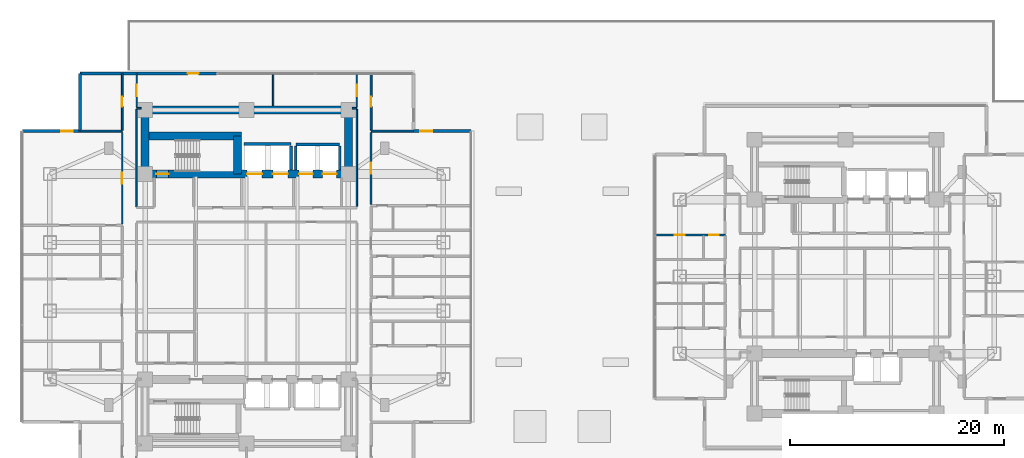
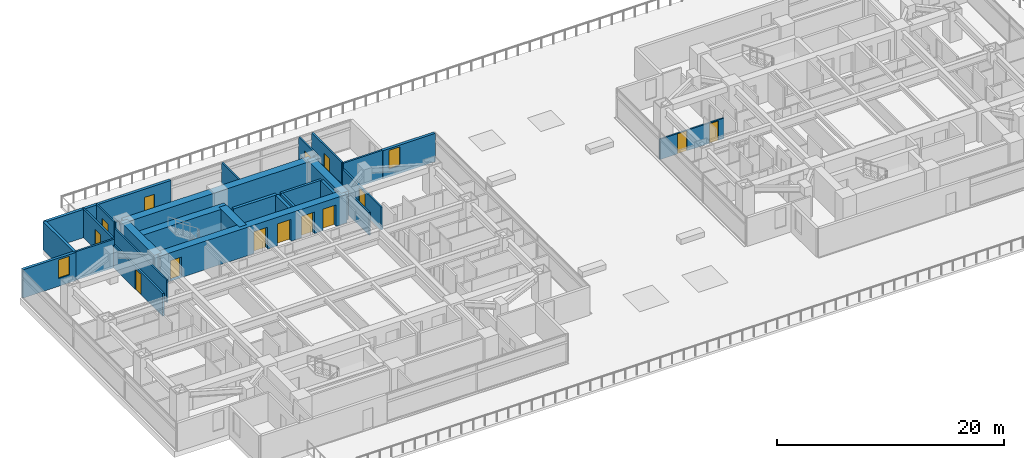
# One storey, part 15 of 26: 29 walls, 14 doors, 2 windows, 16 openings.
"""IFC4 building model written with IfcOpenShell, lengths in metres."""

from ifc_helpers import new_model, si_unit, direction, frame, frame_2d, origin, place, context, subcontext, project, spatial, rectangle, extrude, material, layer, layer_set, type_object, element, fill, save


model = new_model("IFC4")

# Units and contexts
model_context = context("Model", 3, precision=1e-05, world=origin(), true_north=direction((0.0, 1.0)))
body_context = subcontext(model_context, "Body", "Model", "MODEL_VIEW")
ifc_project = project(units=[si_unit("LENGTHUNIT", "METRE"), si_unit("AREAUNIT", "SQUARE_METRE"), si_unit("VOLUMEUNIT", "CUBIC_METRE"), si_unit("PLANEANGLEUNIT", "RADIAN"), si_unit("MASSUNIT", "GRAM", prefix="KILO")], contexts=[model_context])

# Site, building, storey
site_placement = place(None, origin())
site = spatial("IfcSite", under=ifc_project, at=site_placement, CompositionType="ELEMENT")
building_placement = place(site_placement, origin())
building = spatial("IfcBuilding", under=site, at=building_placement, Name="Mirazonda Arch Towers", CompositionType="ELEMENT")
storey_placement = place(building_placement, frame((0.0, 0.0, 22.39990234375)))
storey = spatial("IfcBuildingStorey", under=building, at=storey_placement, Name="L05", CompositionType="ELEMENT", Elevation=22.39990234375)

# Walls
ifc_material_1 = material(Name="Concrete C60/75", Category="concrete")
ifc_layer_1 = layer(ifc_material_1, 0.75, Name="WALL-CORE-750")
ifc_layer_set_1 = layer_set([ifc_layer_1], Name="Concrete C60/75")
wall_type_1 = type_object("IfcWallType", Name="WALL-CORE-750", PredefinedType="SHEAR", material=ifc_layer_set_1)
wall_1_placement = place(storey_placement, frame((11.0, 43.60009765625, 0.0), z_axis=(0.0, 0.0, 1.0), x_axis=(1.0, 0.0, 0.0)))
element("IfcWall", 1, at=wall_1_placement, inside=storey, type_object=wall_type_1, Name="L05 T1N-N Core Shear Wall", PredefinedType="SHEAR", context=body_context, shape_type="SweptSolid", body=[
    extrude(rectangle(XDim=19.0, YDim=0.75, at=frame_2d((9.5, 0.0))), origin(), (0.0, 0.0, 1.0), 3.06005859375),
])
for number, where, z_axis, x_axis, name in (
    (2, (11.0, 37.60009765625, 0.0), (0.0, 0.0, 1.0), (0.0, 1.0, 0.0), "L05 T1N-W Core Shear Wall"),
    (3, (30.0, 37.60009765625, 0.0), (0.0, 0.0, 1.0), (0.0, 1.0, 0.0), "L05 T1N-E Core Shear Wall"),
):
    element("IfcWall", number, at=place(storey_placement, frame(where, z_axis=z_axis, x_axis=x_axis)), inside=storey, type_object=wall_type_1, Name=name, PredefinedType="SHEAR", context=body_context, shape_type="SweptSolid", body=[
        extrude(rectangle(XDim=6.0, YDim=0.75, at=frame_2d((3.0, 0.0))), origin(), (0.0, 0.0, 1.0), 3.06005859375),
    ])

# Wall, openings, doors
wall_2_placement = place(storey_placement, frame((11.0, 37.60009765625, 0.0), z_axis=(0.0, 0.0, 1.0), x_axis=(1.0, 0.0, 0.0)))
wall_2 = element("IfcWall", 4, at=wall_2_placement, inside=storey, type_object=wall_type_1, Name="L05 T1N-S Core Shear Wall", PredefinedType="SHEAR", context=body_context, shape_type="SweptSolid", body=[
    extrude(rectangle(XDim=19.0, YDim=0.75, at=frame_2d((9.5, 0.0))), origin(), (0.0, 0.0, 1.0), 3.06005859375),
])
opening_1_placement = place(wall_2_placement, frame((1.06005859375, 0.0, 0.0)))
opening_1 = element("IfcOpeningElement", 5, at=opening_1_placement, cuts=wall_2, Name="Opening DR-135", PredefinedType="OPENING", context=body_context, shape_type="SweptSolid", body=[
    extrude(rectangle(XDim=1.14990234375, YDim=2.199951171875, at=frame_2d((0.574951171875, 1.10009765625))), frame((0.0, 0.385009765625, 0.0), z_axis=(0.0, -1.0, 0.0), x_axis=(1.0, 0.0, 0.0)), (0.0, 0.0, 1.0), 0.77001953125),
])
opening_2_placement = place(wall_2_placement, frame((9.550048828125, 0.0, 0.0)))
opening_2 = element("IfcOpeningElement", 6, at=opening_2_placement, cuts=wall_2, Name="Opening LD-112", PredefinedType="OPENING", context=body_context, shape_type="SweptSolid", body=[
    extrude(rectangle(XDim=1.39990234375, YDim=2.35009765625, at=frame_2d((0.699951171875, 1.175048828125))), frame((0.0, 0.385009765625, 0.0), z_axis=(0.0, -1.0, 0.0), x_axis=(1.0, 0.0, 0.0)), (0.0, 0.0, 1.0), 0.77001953125),
])
opening_3_placement = place(wall_2_placement, frame((11.949951171875, 0.0, 0.0)))
opening_3 = element("IfcOpeningElement", 7, at=opening_3_placement, cuts=wall_2, Name="Opening LD-112", PredefinedType="OPENING", context=body_context, shape_type="SweptSolid", body=[
    extrude(rectangle(XDim=1.39990234375, YDim=2.35009765625, at=frame_2d((0.699951171875, 1.175048828125))), frame((0.0, 0.385009765625, 0.0), z_axis=(0.0, -1.0, 0.0), x_axis=(1.0, 0.0, 0.0)), (0.0, 0.0, 1.0), 0.77001953125),
])
opening_4_placement = place(wall_2_placement, frame((14.39990234375, 0.0, 0.0)))
opening_4 = element("IfcOpeningElement", 8, at=opening_4_placement, cuts=wall_2, Name="Opening LD-111", PredefinedType="OPENING", context=body_context, shape_type="SweptSolid", body=[
    extrude(rectangle(XDim=1.300048828125, YDim=2.300048828125, at=frame_2d((0.64990234375, 1.14990234375))), frame((0.0, 0.385009765625, 0.0), z_axis=(0.0, -1.0, 0.0), x_axis=(1.0, 0.0, 0.0)), (0.0, 0.0, 1.0), 0.77001953125),
])
opening_5_placement = place(wall_2_placement, frame((16.60009765625, 0.0, 0.0)))
opening_5 = element("IfcOpeningElement", 9, at=opening_5_placement, cuts=wall_2, Name="Opening LD-111", PredefinedType="OPENING", context=body_context, shape_type="SweptSolid", body=[
    extrude(rectangle(XDim=1.300048828125, YDim=2.300048828125, at=frame_2d((0.64990234375, 1.14990234375))), frame((0.0, 0.385009765625, 0.0), z_axis=(0.0, -1.0, 0.0), x_axis=(1.0, 0.0, 0.0)), (0.0, 0.0, 1.0), 0.77001953125),
])
ifc_material_2 = material(Name="Architectural Brushed Steel S355", Category="steel")
door_type_1 = type_object("IfcDoorType", Name="DOOR-LIFT-FFL-1400", OperationType="NOTDEFINED", PredefinedType="DOOR", material=ifc_material_2)
door_1_placement = place(opening_2_placement, origin())
door_1 = element("IfcDoor", 10, at=door_1_placement, inside=storey, type_object=door_type_1, Name="L05 Lift Landing Sliding Door FFL-T1", OperationType="DOUBLE_DOOR_SLIDING", OverallHeight=2.35009765625, OverallWidth=1.39990234375, PredefinedType="DOOR", context=body_context, shape_type="SweptSolid", body=[
    extrude(rectangle(XDim=1.39990234375, YDim=2.35009765625, at=frame_2d((0.699951171875, 1.175048828125))), frame((0.0, 0.02490234375, 0.0), z_axis=(0.0, -1.0, 0.0), x_axis=(1.0, 0.0, 0.0)), (0.0, 0.0, 1.0), 0.050048828125),
])
fill(opening_2, door_1)
door_2_placement = place(opening_3_placement, origin())
door_2 = element("IfcDoor", 11, at=door_2_placement, inside=storey, type_object=door_type_1, Name="L05 Lift Landing Sliding Door SVL-T1", OperationType="DOUBLE_DOOR_SLIDING", OverallHeight=2.35009765625, OverallWidth=1.39990234375, PredefinedType="DOOR", context=body_context, shape_type="SweptSolid", body=[
    extrude(rectangle(XDim=1.39990234375, YDim=2.35009765625, at=frame_2d((0.699951171875, 1.175048828125))), frame((0.0, 0.02490234375, 0.0), z_axis=(0.0, -1.0, 0.0), x_axis=(1.0, 0.0, 0.0)), (0.0, 0.0, 1.0), 0.050048828125),
])
fill(opening_3, door_2)
door_type_2 = type_object("IfcDoorType", Name="DOOR-LIFT-LAND-1300", OperationType="NOTDEFINED", PredefinedType="DOOR", material=ifc_material_2)
door_3_placement = place(opening_4_placement, origin())
door_3 = element("IfcDoor", 12, at=door_3_placement, inside=storey, type_object=door_type_2, Name="L05 Lift Landing Sliding Door PL-T1L1", OperationType="DOUBLE_DOOR_SLIDING", OverallHeight=2.300048828125, OverallWidth=1.300048828125, PredefinedType="DOOR", context=body_context, shape_type="SweptSolid", body=[
    extrude(rectangle(XDim=1.300048828125, YDim=2.300048828125, at=frame_2d((0.64990234375, 1.14990234375))), frame((0.0, 0.02490234375, 0.0), z_axis=(0.0, -1.0, 0.0), x_axis=(1.0, 0.0, 0.0)), (0.0, 0.0, 1.0), 0.050048828125),
])
fill(opening_4, door_3)
door_4_placement = place(opening_5_placement, origin())
door_4 = element("IfcDoor", 13, at=door_4_placement, inside=storey, type_object=door_type_2, Name="L05 Lift Landing Sliding Door PL-T1L2", OperationType="DOUBLE_DOOR_SLIDING", OverallHeight=2.300048828125, OverallWidth=1.300048828125, PredefinedType="DOOR", context=body_context, shape_type="SweptSolid", body=[
    extrude(rectangle(XDim=1.300048828125, YDim=2.300048828125, at=frame_2d((0.64990234375, 1.14990234375))), frame((0.0, 0.02490234375, 0.0), z_axis=(0.0, -1.0, 0.0), x_axis=(1.0, 0.0, 0.0)), (0.0, 0.0, 1.0), 0.050048828125),
])
fill(opening_5, door_4)
door_type_3 = type_object("IfcDoorType", Name="DOOR-STAIR-FD90-1150", OperationType="NOTDEFINED", PredefinedType="DOOR", material=ifc_material_2)
door_5_placement = place(opening_1_placement, origin())
door_5 = element("IfcDoor", 14, at=door_5_placement, inside=storey, type_object=door_type_3, Name="L05 Protected Exit Stair North Door", OperationType="SINGLE_SWING_RIGHT", OverallHeight=2.199951171875, OverallWidth=1.14990234375, PredefinedType="DOOR", context=body_context, shape_type="SweptSolid", body=[
    extrude(rectangle(XDim=1.14990234375, YDim=2.199951171875, at=frame_2d((0.574951171875, 1.10009765625))), frame((0.0, 0.02490234375, 0.0), z_axis=(0.0, -1.0, 0.0), x_axis=(1.0, 0.0, 0.0)), (0.0, 0.0, 1.0), 0.050048828125),
])
fill(opening_1, door_5)

# Walls
wall_3_placement = place(storey_placement, frame((11.0, 41.14306640625, 0.0), z_axis=(0.0, 0.0, 1.0), x_axis=(1.0, 0.0, 0.0)))
element("IfcWall", 15, at=wall_3_placement, inside=storey, type_object=wall_type_1, Name="L05 T1N-STN Core Shear Wall", PredefinedType="SHEAR", context=body_context, shape_type="SweptSolid", body=[
    extrude(rectangle(XDim=9.0, YDim=0.75, at=frame_2d((4.5, 0.0))), origin(), (0.0, 0.0, 1.0), 3.06005859375),
])
wall_4_placement = place(storey_placement, frame((19.64990234375, 37.60009765625, 0.0), z_axis=(0.0, 0.0, 1.0), x_axis=(0.0, 1.0, 0.0)))
element("IfcWall", 16, at=wall_4_placement, inside=storey, type_object=wall_type_1, Name="L05 T1N-STE Core Shear Wall", PredefinedType="SHEAR", context=body_context, shape_type="SweptSolid", body=[
    extrude(rectangle(XDim=3.54296875, YDim=0.75, at=frame_2d((1.771484375, 0.0))), origin(), (0.0, 0.0, 1.0), 3.06005859375),
])

# Wall, opening, door
ifc_material_3 = material(Name="Precast Concrete C40/50", Category="concrete")
ifc_layer_2 = layer(ifc_material_3, 0.280029296875, Name="WALL-EXT-WALL-280")
ifc_layer_set_2 = layer_set([ifc_layer_2], Name="Precast Concrete C40/50")
wall_type_2 = type_object("IfcWallType", Name="WALL-EXT-WALL-280", PredefinedType="SOLIDWALL", material=ifc_layer_set_2)
wall_5_placement = place(storey_placement, frame((4.89990234375, 46.97998046875, 0.0), z_axis=(0.0, 0.0, 1.0), x_axis=(1.0, 0.0, 0.0)))
wall_5 = element("IfcWall", 17, at=wall_5_placement, inside=storey, type_object=wall_type_2, Name="L05 L05 T1 Podium Roof Terrace Access Wall North WL-L05-T1-N-ACC", PredefinedType="SOLIDWALL", context=body_context, shape_type="SweptSolid", body=[
    extrude(rectangle(XDim=12.800048828125, YDim=0.280029296875, at=frame_2d((6.39990234375, 0.0))), origin(), (0.0, 0.0, 1.0), 3.0400390625),
])
opening_6_placement = place(wall_5_placement, frame((10.10009765625, 0.0, 0.0)))
opening_6 = element("IfcOpeningElement", 18, at=opening_6_placement, cuts=wall_5, Name="Opening DR-110", PredefinedType="OPENING", context=body_context, shape_type="SweptSolid", body=[
    extrude(rectangle(XDim=1.0, YDim=2.14990234375, at=frame_2d((0.5, 1.074951171875))), frame((0.0, 0.14990234375, 0.0), z_axis=(0.0, -1.0, 0.0), x_axis=(1.0, 0.0, 0.0)), (0.0, 0.0, 1.0), 0.300048828125),
])
door_type_4 = type_object("IfcDoorType", Name="DOOR-ROOF-EXT-1000", OperationType="NOTDEFINED", PredefinedType="DOOR", material=ifc_material_2)
door_6_placement = place(opening_6_placement, origin())
door_6 = element("IfcDoor", 19, at=door_6_placement, inside=storey, type_object=door_type_4, Name="L05 Exterior Door DR-PODRF-T1-N", OperationType="SINGLE_SWING_RIGHT", OverallHeight=2.14990234375, OverallWidth=1.0, PredefinedType="DOOR", context=body_context, shape_type="SweptSolid", body=[
    extrude(rectangle(XDim=1.0, YDim=2.14990234375, at=frame_2d((0.5, 1.074951171875))), frame((0.0, 0.02490234375, 0.0), z_axis=(0.0, -1.0, 0.0), x_axis=(1.0, 0.0, 0.0)), (0.0, 0.0, 1.0), 0.050048828125),
])
fill(opening_6, door_6)

# Wall, opening, window
wall_6_placement = place(storey_placement, frame((4.89990234375, 41.60009765625, 0.0), z_axis=(0.0, 0.0, 1.0), x_axis=(-1.0, 0.0, 0.0)))
wall_6 = element("IfcWall", 20, at=wall_6_placement, inside=storey, type_object=wall_type_2, Name="L05 T1 Corner Notch Return Wall WL-L05-T1-CNW1", PredefinedType="SOLIDWALL", context=body_context, shape_type="SweptSolid", body=[
    extrude(rectangle(XDim=5.3798828125, YDim=0.280029296875, at=frame_2d((2.68994140625, 0.0))), origin(), (0.0, 0.0, 1.0), 3.0400390625),
])
opening_7_placement = place(wall_6_placement, frame((0.64990234375, 0.0, 0.85009765625)))
opening_7 = element("IfcOpeningElement", 21, at=opening_7_placement, cuts=wall_6, Name="Opening WN-108", PredefinedType="OPENING", context=body_context, shape_type="SweptSolid", body=[
    extrude(rectangle(XDim=1.10009765625, YDim=2.0, at=frame_2d((0.550048828125, 1.0))), frame((0.0, 0.14990234375, 0.0), z_axis=(0.0, -1.0, 0.0), x_axis=(1.0, 0.0, 0.0)), (0.0, 0.0, 1.0), 0.300048828125),
])
ifc_material_4 = material(Name="Insulated Low-E Solar Glass", Category="glass")
window_type = type_object("IfcWindowType", Name="WIN-NOTCH-1100x2000", PartitioningType="SINGLE_PANEL", PredefinedType="WINDOW", material=ifc_material_4)
window_1_placement = place(opening_7_placement, origin())
window_1 = element("IfcWindow", 22, at=window_1_placement, inside=storey, type_object=window_type, Name="L05 Punched Facade Window WN-L05-T1-CNW1", OverallHeight=2.0, OverallWidth=1.10009765625, PartitioningType="SINGLE_PANEL", PredefinedType="WINDOW", context=body_context, shape_type="SweptSolid", body=[
    extrude(rectangle(XDim=1.10009765625, YDim=2.0, at=frame_2d((0.550048828125, 1.0))), frame((0.0, 0.030029296875, 0.0), z_axis=(0.0, -1.0, 0.0), x_axis=(1.0, 0.0, 0.0)), (0.0, 0.0, 1.0), 0.06005859375),
])
fill(opening_7, window_1)

# Wall
wall_7_placement = place(storey_placement, frame((4.89990234375, 46.97998046875, 0.0), z_axis=(0.0, 0.0, 1.0), x_axis=(0.0, -1.0, 0.0)))
element("IfcWall", 23, at=wall_7_placement, inside=storey, type_object=wall_type_2, Name="L05 T1 Corner Notch Return Wall WL-L05-T1-CNW2", PredefinedType="SOLIDWALL", context=body_context, shape_type="SweptSolid", body=[
    extrude(rectangle(XDim=5.3798828125, YDim=0.280029296875, at=frame_2d((2.68994140625, 0.0))), origin(), (0.0, 0.0, 1.0), 3.0400390625),
])

# Wall, opening, window
wall_8_placement = place(storey_placement, frame((41.47998046875, 41.60009765625, 0.0), z_axis=(0.0, 0.0, 1.0), x_axis=(-1.0, 0.0, 0.0)))
wall_8 = element("IfcWall", 24, at=wall_8_placement, inside=storey, type_object=wall_type_2, Name="L05 T1 Corner Notch Return Wall WL-L05-T1-CNE2", PredefinedType="SOLIDWALL", context=body_context, shape_type="SweptSolid", body=[
    extrude(rectangle(XDim=5.3798828125, YDim=0.280029296875, at=frame_2d((2.68994140625, 0.0))), origin(), (0.0, 0.0, 1.0), 3.0400390625),
])
opening_8_placement = place(wall_8_placement, frame((3.6298828125, 0.0, 0.85009765625)))
opening_8 = element("IfcOpeningElement", 25, at=opening_8_placement, cuts=wall_8, Name="Opening WN-108", PredefinedType="OPENING", context=body_context, shape_type="SweptSolid", body=[
    extrude(rectangle(XDim=1.10009765625, YDim=2.0, at=frame_2d((0.550048828125, 1.0))), frame((0.0, 0.14990234375, 0.0), z_axis=(0.0, -1.0, 0.0), x_axis=(1.0, 0.0, 0.0)), (0.0, 0.0, 1.0), 0.300048828125),
])
window_2_placement = place(opening_8_placement, origin())
window_2 = element("IfcWindow", 26, at=window_2_placement, inside=storey, type_object=window_type, Name="L05 Punched Facade Window WN-L05-T1-CNE2", OverallHeight=2.0, OverallWidth=1.10009765625, PartitioningType="SINGLE_PANEL", PredefinedType="WINDOW", context=body_context, shape_type="SweptSolid", body=[
    extrude(rectangle(XDim=1.10009765625, YDim=2.0, at=frame_2d((0.550048828125, 1.0))), frame((0.0, 0.030029296875, 0.0), z_axis=(0.0, -1.0, 0.0), x_axis=(1.0, 0.0, 0.0)), (0.0, 0.0, 1.0), 0.06005859375),
])
fill(opening_8, window_2)

# Wall, openings, doors
ifc_material_5 = material(Name="Fire-Rated Gypsum Stud Partition")
ifc_layer_3 = layer(ifc_material_5, 0.14990234375, Name="WALL-PART-CORR-150")
ifc_layer_set_3 = layer_set([ifc_layer_3], Name="Fire-Rated Gypsum Stud Partition")
wall_type_3 = type_object("IfcWallType", Name="WALL-PART-CORR-150", PredefinedType="PARTITIONING", material=ifc_layer_set_3)
wall_9_placement = place(storey_placement, frame((58.719970703125, 31.89599609375, 0.0), z_axis=(0.0, 0.0, 1.0), x_axis=(1.0, 0.0, 0.0)))
wall_9 = element("IfcWall", 27, at=wall_9_placement, inside=storey, type_object=wall_type_3, Name="L05 Interior Partition 040", PredefinedType="PARTITIONING", context=body_context, shape_type="SweptSolid", body=[
    extrude(rectangle(XDim=6.530029296875, YDim=0.14990234375, at=frame_2d((3.26513671875, 0.0))), origin(), (0.0, 0.0, 1.0), 2.196044921875),
])
opening_9_placement = place(wall_9_placement, frame((1.7900390625, 0.0, 0.0)))
opening_9 = element("IfcOpeningElement", 28, at=opening_9_placement, cuts=wall_9, Name="Opening DR-104", PredefinedType="OPENING", context=body_context, shape_type="SweptSolid", body=[
    extrude(rectangle(XDim=0.949951171875, YDim=2.14990234375, at=frame_2d((0.47509765625, 1.074951171875))), frame((0.0, 0.0849609375, 0.0), z_axis=(0.0, -1.0, 0.0), x_axis=(1.0, 0.0, 0.0)), (0.0, 0.0, 1.0), 0.169921875),
])
opening_10_placement = place(wall_9_placement, frame((5.0400390625, 0.0, 0.0)))
opening_10 = element("IfcOpeningElement", 29, at=opening_10_placement, cuts=wall_9, Name="Opening DR-120", PredefinedType="OPENING", context=body_context, shape_type="SweptSolid", body=[
    extrude(rectangle(XDim=0.89990234375, YDim=2.10009765625, at=frame_2d((0.449951171875, 1.050048828125))), frame((0.0, 0.0849609375, 0.0), z_axis=(0.0, -1.0, 0.0), x_axis=(1.0, 0.0, 0.0)), (0.0, 0.0, 1.0), 0.169921875),
])
door_type_5 = type_object("IfcDoorType", Name="DOOR-ROOM-950", OperationType="NOTDEFINED", PredefinedType="DOOR", material=ifc_material_2)
door_7_placement = place(opening_9_placement, origin())
door_7 = element("IfcDoor", 30, at=door_7_placement, inside=storey, type_object=door_type_5, Name="L05 Guestroom Study 3 Door", OperationType="SINGLE_SWING_LEFT", OverallHeight=2.14990234375, OverallWidth=0.949951171875, PredefinedType="DOOR", context=body_context, shape_type="SweptSolid", body=[
    extrude(rectangle(XDim=0.949951171875, YDim=2.14990234375, at=frame_2d((0.47509765625, 1.074951171875))), frame((0.0, 0.02490234375, 0.0), z_axis=(0.0, -1.0, 0.0), x_axis=(1.0, 0.0, 0.0)), (0.0, 0.0, 1.0), 0.050048828125),
])
fill(opening_9, door_7)
door_type_6 = type_object("IfcDoorType", Name="DOOR-WC-900", OperationType="NOTDEFINED", PredefinedType="DOOR", material=ifc_material_2)
door_8_placement = place(opening_10_placement, origin())
door_8 = element("IfcDoor", 31, at=door_8_placement, inside=storey, type_object=door_type_6, Name="L05 En-Suite Bathroom 3 Door", OperationType="SINGLE_SWING_RIGHT", OverallHeight=2.10009765625, OverallWidth=0.89990234375, PredefinedType="DOOR", context=body_context, shape_type="SweptSolid", body=[
    extrude(rectangle(XDim=0.89990234375, YDim=2.10009765625, at=frame_2d((0.449951171875, 1.050048828125))), frame((0.0, 0.02490234375, 0.0), z_axis=(0.0, -1.0, 0.0), x_axis=(1.0, 0.0, 0.0)), (0.0, 0.0, 1.0), 0.050048828125),
])
fill(opening_10, door_8)

# Walls
for number, where, z_axis, x_axis, name in (
    (32, (10.199951171875, 43.75, 0.0), (0.0, 0.0, 1.0), (1.0, 0.0, 0.0), "L05 Interior Partition 061"),
    (33, (30.3701171875, 43.75, 0.0), (0.0, 0.0, 1.0), (1.0, 0.0, 0.0), "L05 Interior Partition 062"),
):
    element("IfcWall", number, at=place(storey_placement, frame(where, z_axis=z_axis, x_axis=x_axis)), inside=storey, type_object=wall_type_3, Name=name, PredefinedType="PARTITIONING", context=body_context, shape_type="SweptSolid", body=[
        extrude(rectangle(XDim=0.429931640625, YDim=0.14990234375, at=frame_2d((0.21484375, 0.0))), origin(), (0.0, 0.0, 1.0), 3.06005859375),
    ])
wall_10_placement = place(storey_placement, frame((10.199951171875, 34.534912109375, 0.0), z_axis=(0.0, 0.0, 1.0), x_axis=(0.0, 1.0, 0.0)))
element("IfcWall", 34, at=wall_10_placement, inside=storey, type_object=wall_type_3, Name="L05 Interior Partition 078", PredefinedType="PARTITIONING", context=body_context, shape_type="SweptSolid", body=[
    extrude(rectangle(XDim=9.130126953125, YDim=0.14990234375, at=frame_2d((4.56494140625, 0.0))), origin(), (0.0, 0.0, 1.0), 2.43603515625),
])

# Wall, opening, door
wall_11_placement = place(storey_placement, frame((10.199951171875, 43.8349609375, 0.0), z_axis=(0.0, 0.0, 1.0), x_axis=(0.0, 1.0, 0.0)))
wall_11 = element("IfcWall", 35, at=wall_11_placement, inside=storey, type_object=wall_type_3, Name="L05 Interior Partition 079", PredefinedType="PARTITIONING", context=body_context, shape_type="SweptSolid", body=[
    extrude(rectangle(XDim=3.14501953125, YDim=0.14990234375, at=frame_2d((1.572509765625, 0.0))), origin(), (0.0, 0.0, 1.0), 3.06005859375),
])
opening_11_placement = place(wall_11_placement, frame((1.047607421875, 0.0, 0.0)))
opening_11 = element("IfcOpeningElement", 36, at=opening_11_placement, cuts=wall_11, Name="Opening DR-121", PredefinedType="OPENING", context=body_context, shape_type="SweptSolid", body=[
    extrude(rectangle(XDim=1.050048828125, YDim=2.199951171875, at=frame_2d((0.52490234375, 1.10009765625))), frame((0.0, 0.0849609375, 0.0), z_axis=(0.0, -1.0, 0.0), x_axis=(1.0, 0.0, 0.0)), (0.0, 0.0, 1.0), 0.169921875),
])
door_type_7 = type_object("IfcDoorType", Name="DOOR-SUITE-FD60-1050", OperationType="NOTDEFINED", PredefinedType="DOOR", material=ifc_material_2)
door_9_placement = place(opening_11_placement, origin())
door_9 = element("IfcDoor", 37, at=door_9_placement, inside=storey, type_object=door_type_7, Name="L05 North Reading Salon West Door", OperationType="SINGLE_SWING_RIGHT", OverallHeight=2.199951171875, OverallWidth=1.050048828125, PredefinedType="DOOR", context=body_context, shape_type="SweptSolid", body=[
    extrude(rectangle(XDim=1.050048828125, YDim=2.199951171875, at=frame_2d((0.52490234375, 1.10009765625))), frame((0.0, 0.02490234375, 0.0), z_axis=(0.0, -1.0, 0.0), x_axis=(1.0, 0.0, 0.0)), (0.0, 0.0, 1.0), 0.050048828125),
])
fill(opening_11, door_9)

# Walls
wall_12_placement = place(storey_placement, frame((22.971923828125, 43.969970703125, 0.0), z_axis=(0.0, 0.0, 1.0), x_axis=(0.0, 1.0, 0.0)))
element("IfcWall", 38, at=wall_12_placement, inside=storey, type_object=wall_type_3, Name="L05 Interior Partition 091", PredefinedType="PARTITIONING", context=body_context, shape_type="SweptSolid", body=[
    extrude(rectangle(XDim=3.010009765625, YDim=0.14990234375, at=frame_2d((1.5048828125, 0.0))), origin(), (0.0, 0.0, 1.0), 3.06005859375),
])
wall_13_placement = place(storey_placement, frame((30.800048828125, 34.570068359375, 0.0), z_axis=(0.0, 0.0, 1.0), x_axis=(0.0, 1.0, 0.0)))
element("IfcWall", 39, at=wall_13_placement, inside=storey, type_object=wall_type_3, Name="L05 Interior Partition 103", PredefinedType="PARTITIONING", context=body_context, shape_type="SweptSolid", body=[
    extrude(rectangle(XDim=9.094970703125, YDim=0.14990234375, at=frame_2d((4.54736328125, 0.0))), origin(), (0.0, 0.0, 1.0), 2.43603515625),
])

# Wall, opening, door
wall_14_placement = place(storey_placement, frame((30.800048828125, 43.8349609375, 0.0), z_axis=(0.0, 0.0, 1.0), x_axis=(0.0, 1.0, 0.0)))
wall_14 = element("IfcWall", 40, at=wall_14_placement, inside=storey, type_object=wall_type_3, Name="L05 Interior Partition 104", PredefinedType="PARTITIONING", context=body_context, shape_type="SweptSolid", body=[
    extrude(rectangle(XDim=3.14501953125, YDim=0.14990234375, at=frame_2d((1.572509765625, 0.0))), origin(), (0.0, 0.0, 1.0), 3.06005859375),
])
opening_12_placement = place(wall_14_placement, frame((1.047607421875, 0.0, 0.0)))
opening_12 = element("IfcOpeningElement", 41, at=opening_12_placement, cuts=wall_14, Name="Opening DR-121", PredefinedType="OPENING", context=body_context, shape_type="SweptSolid", body=[
    extrude(rectangle(XDim=1.050048828125, YDim=2.199951171875, at=frame_2d((0.52490234375, 1.10009765625))), frame((0.0, 0.0849609375, 0.0), z_axis=(0.0, -1.0, 0.0), x_axis=(1.0, 0.0, 0.0)), (0.0, 0.0, 1.0), 0.169921875),
])
door_10_placement = place(opening_12_placement, origin())
door_10 = element("IfcDoor", 42, at=door_10_placement, inside=storey, type_object=door_type_7, Name="L05 North Reading Salon East Door", OperationType="SINGLE_SWING_LEFT", OverallHeight=2.199951171875, OverallWidth=1.050048828125, PredefinedType="DOOR", context=body_context, shape_type="SweptSolid", body=[
    extrude(rectangle(XDim=1.050048828125, YDim=2.199951171875, at=frame_2d((0.52490234375, 1.10009765625))), frame((0.0, 0.02490234375, 0.0), z_axis=(0.0, -1.0, 0.0), x_axis=(1.0, 0.0, 0.0)), (0.0, 0.0, 1.0), 0.050048828125),
])
fill(opening_12, door_10)

# Walls
ifc_material_6 = material(Name="Fire-Rated Gypsum Twin-Stud Assembly")
ifc_layer_4 = layer(ifc_material_6, 0.179931640625, Name="WALL-PART-DEMISE-180")
ifc_layer_set_4 = layer_set([ifc_layer_4], Name="Fire-Rated Gypsum Twin-Stud Assembly")
wall_type_4 = type_object("IfcWallType", Name="WALL-PART-DEMISE-180", PredefinedType="PARTITIONING", material=ifc_layer_set_4)
for number, where, z_axis, x_axis, name in (
    (43, (4.919921875, 41.60009765625, 0.0), (0.0, 0.0, 1.0), (1.0, 0.0, 0.0), "L05 Interior Partition 059"),
    (44, (32.139892578125, 41.60009765625, 0.0), (0.0, 0.0, 1.0), (1.0, 0.0, 0.0), "L05 Interior Partition 060"),
):
    element("IfcWall", number, at=place(storey_placement, frame(where, z_axis=z_axis, x_axis=x_axis)), inside=storey, type_object=wall_type_4, Name=name, PredefinedType="PARTITIONING", context=body_context, shape_type="SweptSolid", body=[
        extrude(rectangle(XDim=3.940185546875, YDim=0.179931640625, at=frame_2d((1.97021484375, 0.0))), origin(), (0.0, 0.0, 1.0), 3.06005859375),
    ])

# Wall, opening, door
wall_15_placement = place(storey_placement, frame((8.860107421875, 32.89892578125, 0.0), z_axis=(0.0, 0.0, 1.0), x_axis=(0.0, 1.0, 0.0)))
wall_15 = element("IfcWall", 45, at=wall_15_placement, inside=storey, type_object=wall_type_4, Name="L05 Interior Partition 072", PredefinedType="PARTITIONING", context=body_context, shape_type="SweptSolid", body=[
    extrude(rectangle(XDim=8.60107421875, YDim=0.179931640625, at=frame_2d((4.300537109375, 0.0))), origin(), (0.0, 0.0, 1.0), 2.43603515625),
])
opening_13_placement = place(wall_15_placement, frame((3.775390625, 0.0, 0.0)))
opening_13 = element("IfcOpeningElement", 46, at=opening_13_placement, cuts=wall_15, Name="Opening DR-121", PredefinedType="OPENING", context=body_context, shape_type="SweptSolid", body=[
    extrude(rectangle(XDim=1.050048828125, YDim=2.199951171875, at=frame_2d((0.52490234375, 1.10009765625))), frame((0.0, 0.099853515625, 0.0), z_axis=(0.0, -1.0, 0.0), x_axis=(1.0, 0.0, 0.0)), (0.0, 0.0, 1.0), 0.199951171875),
])
door_11_placement = place(opening_13_placement, origin())
door_11 = element("IfcDoor", 47, at=door_11_placement, inside=storey, type_object=door_type_7, Name="L05 Presidential Hotel Suite 3 Door", OperationType="SINGLE_SWING_LEFT", OverallHeight=2.199951171875, OverallWidth=1.050048828125, PredefinedType="DOOR", context=body_context, shape_type="SweptSolid", body=[
    extrude(rectangle(XDim=1.050048828125, YDim=2.199951171875, at=frame_2d((0.52490234375, 1.10009765625))), frame((0.0, 0.02490234375, 0.0), z_axis=(0.0, -1.0, 0.0), x_axis=(1.0, 0.0, 0.0)), (0.0, 0.0, 1.0), 0.050048828125),
])
fill(opening_13, door_11)

wall_16_placement = place(storey_placement, frame((8.860107421875, 41.699951171875, 0.0), z_axis=(0.0, 0.0, 1.0), x_axis=(0.0, 1.0, 0.0)))
wall_16 = element("IfcWall", 48, at=wall_16_placement, inside=storey, type_object=wall_type_4, Name="L05 Interior Partition 073", PredefinedType="PARTITIONING", context=body_context, shape_type="SweptSolid", body=[
    extrude(rectangle(XDim=5.280029296875, YDim=0.179931640625, at=frame_2d((2.64013671875, 0.0))), origin(), (0.0, 0.0, 1.0), 3.06005859375),
])
opening_14_placement = place(wall_16_placement, frame((2.1650390625, 0.0, 0.0)))
opening_14 = element("IfcOpeningElement", 49, at=opening_14_placement, cuts=wall_16, Name="Opening DR-104", PredefinedType="OPENING", context=body_context, shape_type="SweptSolid", body=[
    extrude(rectangle(XDim=0.949951171875, YDim=2.14990234375, at=frame_2d((0.47509765625, 1.074951171875))), frame((0.0, 0.099853515625, 0.0), z_axis=(0.0, -1.0, 0.0), x_axis=(1.0, 0.0, 0.0)), (0.0, 0.0, 1.0), 0.199951171875),
])
door_12_placement = place(opening_14_placement, origin())
door_12 = element("IfcDoor", 50, at=door_12_placement, inside=storey, type_object=door_type_5, Name="L05 North Reading Salon Alcove West Door", OperationType="SINGLE_SWING_RIGHT", OverallHeight=2.14990234375, OverallWidth=0.949951171875, PredefinedType="DOOR", context=body_context, shape_type="SweptSolid", body=[
    extrude(rectangle(XDim=0.949951171875, YDim=2.14990234375, at=frame_2d((0.47509765625, 1.074951171875))), frame((0.0, 0.02490234375, 0.0), z_axis=(0.0, -1.0, 0.0), x_axis=(1.0, 0.0, 0.0)), (0.0, 0.0, 1.0), 0.050048828125),
])
fill(opening_14, door_12)

wall_17_placement = place(storey_placement, frame((32.139892578125, 34.7470703125, 0.0), z_axis=(0.0, 0.0, 1.0), x_axis=(0.0, 1.0, 0.0)))
wall_17 = element("IfcWall", 51, at=wall_17_placement, inside=storey, type_object=wall_type_4, Name="L05 Interior Partition 113", PredefinedType="PARTITIONING", context=body_context, shape_type="SweptSolid", body=[
    extrude(rectangle(XDim=6.7529296875, YDim=0.179931640625, at=frame_2d((3.37646484375, 0.0))), origin(), (0.0, 0.0, 1.0), 2.43603515625),
])
opening_15_placement = place(wall_17_placement, frame((2.8515625, 0.0, 0.0)))
opening_15 = element("IfcOpeningElement", 52, at=opening_15_placement, cuts=wall_17, Name="Opening DR-121", PredefinedType="OPENING", context=body_context, shape_type="SweptSolid", body=[
    extrude(rectangle(XDim=1.050048828125, YDim=2.199951171875, at=frame_2d((0.52490234375, 1.10009765625))), frame((0.0, 0.099853515625, 0.0), z_axis=(0.0, -1.0, 0.0), x_axis=(1.0, 0.0, 0.0)), (0.0, 0.0, 1.0), 0.199951171875),
])
door_13_placement = place(opening_15_placement, origin())
door_13 = element("IfcDoor", 53, at=door_13_placement, inside=storey, type_object=door_type_7, Name="L05 Deluxe Suite Living Room 4 Door", OperationType="SINGLE_SWING_LEFT", OverallHeight=2.199951171875, OverallWidth=1.050048828125, PredefinedType="DOOR", context=body_context, shape_type="SweptSolid", body=[
    extrude(rectangle(XDim=1.050048828125, YDim=2.199951171875, at=frame_2d((0.52490234375, 1.10009765625))), frame((0.0, 0.02490234375, 0.0), z_axis=(0.0, -1.0, 0.0), x_axis=(1.0, 0.0, 0.0)), (0.0, 0.0, 1.0), 0.050048828125),
])
fill(opening_15, door_13)

wall_18_placement = place(storey_placement, frame((32.139892578125, 41.699951171875, 0.0), z_axis=(0.0, 0.0, 1.0), x_axis=(0.0, 1.0, 0.0)))
wall_18 = element("IfcWall", 54, at=wall_18_placement, inside=storey, type_object=wall_type_4, Name="L05 Interior Partition 114", PredefinedType="PARTITIONING", context=body_context, shape_type="SweptSolid", body=[
    extrude(rectangle(XDim=5.280029296875, YDim=0.179931640625, at=frame_2d((2.64013671875, 0.0))), origin(), (0.0, 0.0, 1.0), 3.06005859375),
])
opening_16_placement = place(wall_18_placement, frame((2.1650390625, 0.0, 0.0)))
opening_16 = element("IfcOpeningElement", 55, at=opening_16_placement, cuts=wall_18, Name="Opening DR-104", PredefinedType="OPENING", context=body_context, shape_type="SweptSolid", body=[
    extrude(rectangle(XDim=0.949951171875, YDim=2.14990234375, at=frame_2d((0.47509765625, 1.074951171875))), frame((0.0, 0.099853515625, 0.0), z_axis=(0.0, -1.0, 0.0), x_axis=(1.0, 0.0, 0.0)), (0.0, 0.0, 1.0), 0.199951171875),
])
door_14_placement = place(opening_16_placement, origin())
door_14 = element("IfcDoor", 56, at=door_14_placement, inside=storey, type_object=door_type_5, Name="L05 North Reading Salon Alcove East Door", OperationType="SINGLE_SWING_LEFT", OverallHeight=2.14990234375, OverallWidth=0.949951171875, PredefinedType="DOOR", context=body_context, shape_type="SweptSolid", body=[
    extrude(rectangle(XDim=0.949951171875, YDim=2.14990234375, at=frame_2d((0.47509765625, 1.074951171875))), frame((0.0, 0.02490234375, 0.0), z_axis=(0.0, -1.0, 0.0), x_axis=(1.0, 0.0, 0.0)), (0.0, 0.0, 1.0), 0.050048828125),
])
fill(opening_16, door_14)

# Walls
ifc_material_7 = material(Name="Concrete C40/50", Category="concrete")
ifc_layer_5 = layer(ifc_material_7, 0.25, Name="WALL-SHAFT-250")
ifc_layer_set_5 = layer_set([ifc_layer_5], Name="Concrete C40/50")
wall_type_5 = type_object("IfcWallType", Name="WALL-SHAFT-250", PredefinedType="SOLIDWALL", material=ifc_layer_set_5)
wall_19_placement = place(storey_placement, frame((25.10009765625, 40.35009765625, 0.0), z_axis=(0.0, 0.0, 1.0), x_axis=(1.0, 0.0, 0.0)))
element("IfcWall", 57, at=wall_19_placement, inside=storey, type_object=wall_type_5, Name="L05 Interior Partition 057", PredefinedType="SOLIDWALL", context=body_context, shape_type="SweptSolid", body=[
    extrude(rectangle(XDim=4.099853515625, YDim=0.25, at=frame_2d((2.0498046875, 0.0))), origin(), (0.0, 0.0, 1.0), 3.06005859375),
])
for number, where, z_axis, x_axis, name in (
    (58, (25.10009765625, 37.969970703125, 0.0), (0.0, 0.0, 1.0), (0.0, 1.0, 0.0), "L05 Interior Partition 096"),
    (59, (29.199951171875, 37.969970703125, 0.0), (0.0, 0.0, 1.0), (0.0, 1.0, 0.0), "L05 Interior Partition 099"),
):
    element("IfcWall", number, at=place(storey_placement, frame(where, z_axis=z_axis, x_axis=x_axis)), inside=storey, type_object=wall_type_5, Name=name, PredefinedType="SOLIDWALL", context=body_context, shape_type="SweptSolid", body=[
        extrude(rectangle(XDim=2.2451171875, YDim=0.25, at=frame_2d((1.12255859375, 0.0))), origin(), (0.0, 0.0, 1.0), 3.06005859375),
    ])
ifc_material_8 = material(Name="Concrete C50/60", Category="concrete")
ifc_layer_6 = layer(ifc_material_8, 0.300048828125, Name="WALL-SHAFT-300")
ifc_layer_set_6 = layer_set([ifc_layer_6], Name="Concrete C50/60")
wall_type_6 = type_object("IfcWallType", Name="WALL-SHAFT-300", PredefinedType="SOLIDWALL", material=ifc_layer_set_6)
wall_20_placement = place(storey_placement, frame((20.25, 40.39990234375, 0.0), z_axis=(0.0, 0.0, 1.0), x_axis=(1.0, 0.0, 0.0)))
element("IfcWall", 60, at=wall_20_placement, inside=storey, type_object=wall_type_6, Name="L05 Interior Partition 058", PredefinedType="SOLIDWALL", context=body_context, shape_type="SweptSolid", body=[
    extrude(rectangle(XDim=4.39990234375, YDim=0.300048828125, at=frame_2d((2.199951171875, 0.0))), origin(), (0.0, 0.0, 1.0), 3.06005859375),
])
wall_21_placement = place(storey_placement, frame((24.64990234375, 37.969970703125, 0.0), z_axis=(0.0, 0.0, 1.0), x_axis=(0.0, 1.0, 0.0)))
element("IfcWall", 61, at=wall_21_placement, inside=storey, type_object=wall_type_6, Name="L05 Interior Partition 093", PredefinedType="SOLIDWALL", context=body_context, shape_type="SweptSolid", body=[
    extrude(rectangle(XDim=2.27001953125, YDim=0.300048828125, at=frame_2d((1.135009765625, 0.0))), origin(), (0.0, 0.0, 1.0), 3.06005859375),
])

save(model, "model.ifc")
